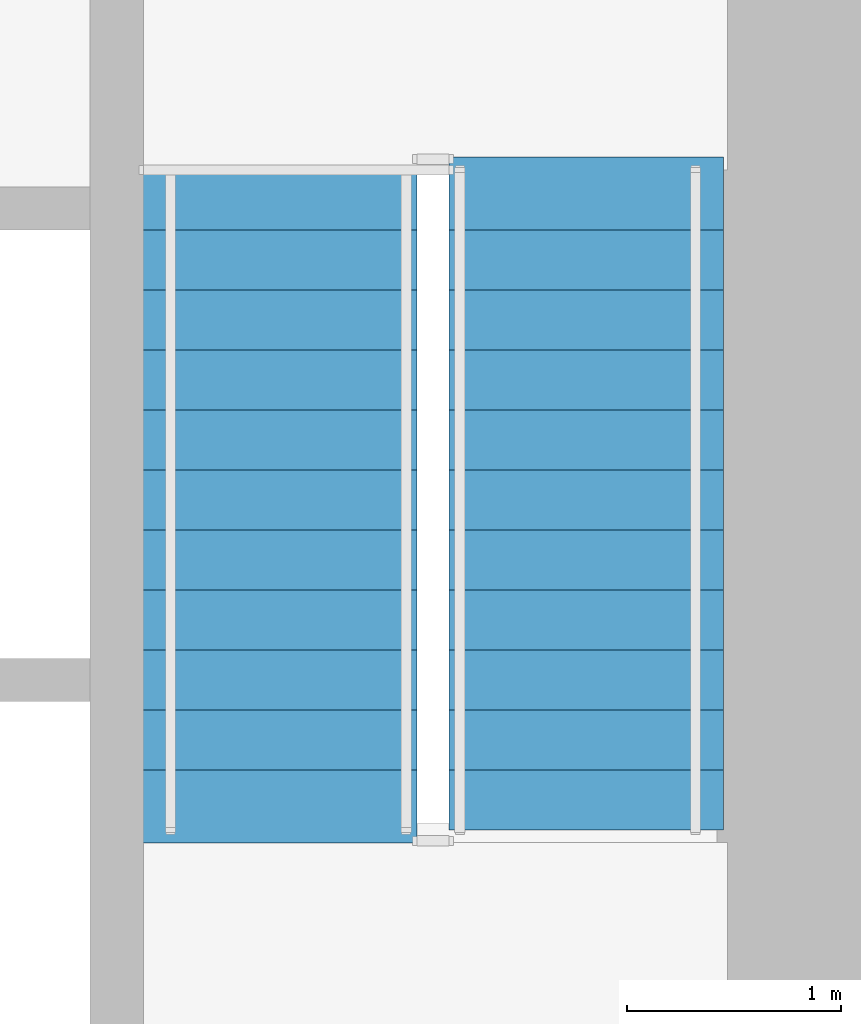
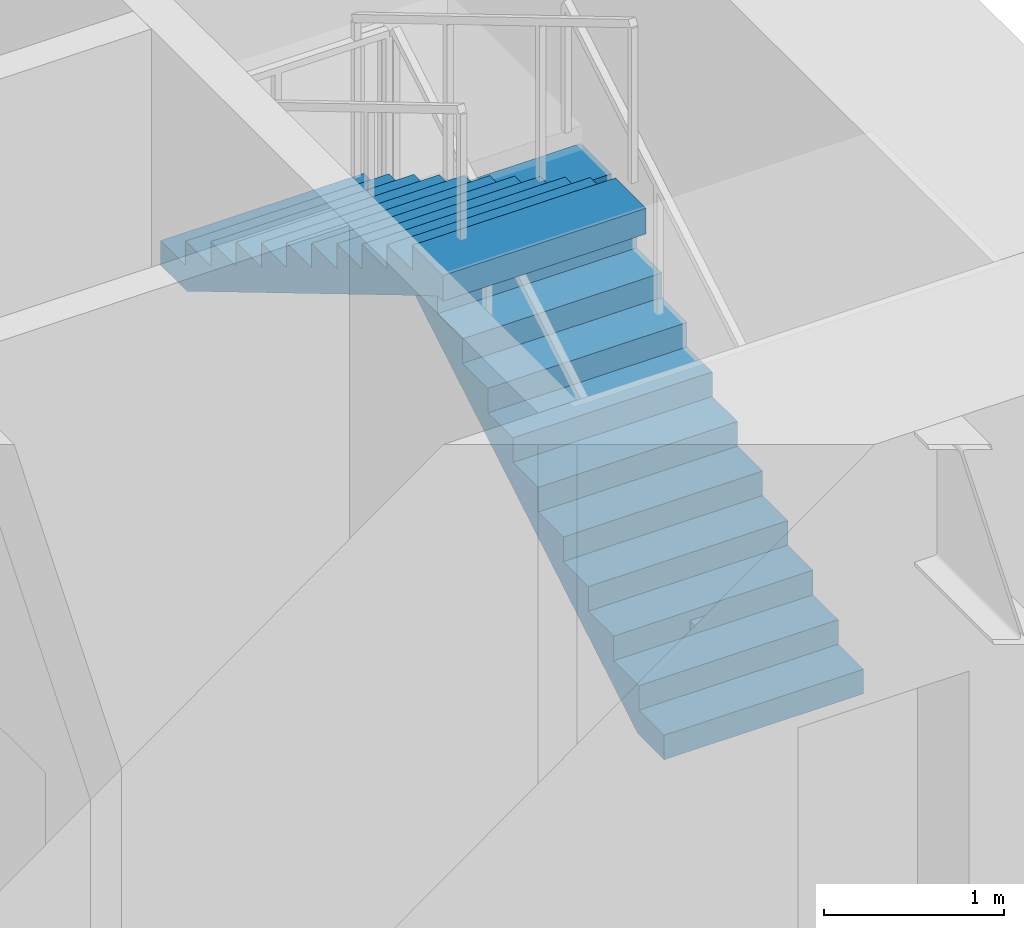
# One storey, part 10 of 16: 2 stair flights, 1 element without a shape of its own.
"""IFC4 building model written with IfcOpenShell, lengths in metres."""

from ifc_helpers import new_model, si_unit, direction, frame, origin, place, context, subcontext, project, spatial, polyline, outline, extrude, material, type_object, element, aggregate, save


model = new_model("IFC4")

# Units and contexts
model_context = context("Model", 3, precision=1e-05, world=origin(), true_north=direction((0.0, 1.0)))
body_context = subcontext(model_context, "Body", "Model", "MODEL_VIEW")
ifc_project = project(units=[si_unit("LENGTHUNIT", "METRE"), si_unit("AREAUNIT", "SQUARE_METRE"), si_unit("VOLUMEUNIT", "CUBIC_METRE"), si_unit("PLANEANGLEUNIT", "RADIAN"), si_unit("MASSUNIT", "GRAM", prefix="KILO")], contexts=[model_context])

# Site, building, storey
site_placement = place(None, origin())
site = spatial("IfcSite", under=ifc_project, at=site_placement, CompositionType="ELEMENT")
building_placement = place(site_placement, origin())
building = spatial("IfcBuilding", under=site, at=building_placement, Name="Sennacour Bend Tower", CompositionType="ELEMENT")
storey_placement = place(building_placement, frame((0.0, 0.0, 69.0)))
storey = spatial("IfcBuildingStorey", under=building, at=storey_placement, Name="L15", CompositionType="ELEMENT", Elevation=69.0)

# Stair, stair flights
ifc_material = material(Name="Concrete C40/50", Category="concrete")
stair_type = type_object("IfcStairType", Name="ST-DOGLEG", PredefinedType="HALF_TURN_STAIR", material=ifc_material)
stair_placement = place(storey_placement, origin())
stair = element("IfcStair", 1, at=stair_placement, inside=storey, type_object=stair_type, Name="L15 Exit stair B2", PredefinedType="HALF_TURN_STAIR")
stair_flight_type = type_object("IfcStairFlightType", Name="SFL-RC", PredefinedType="STRAIGHT", material=ifc_material)
stair_flight_1_placement = place(storey_placement, frame((20.68994140625, 38.699951171875, 0.0), z_axis=(0.0, 0.0, 1.0), x_axis=(0.0, 1.0, 0.0)))
stair_flight_1 = element("IfcStairFlight", 2, at=stair_flight_1_placement, type_object=stair_flight_type, Name="SB2 flight 1", NumberOfRisers=12, NumberOfTreads=11, PredefinedType="STRAIGHT", RiserHeight=0.166666667, TreadLength=0.28, context=body_context, shape_type="SweptSolid", body=[
    extrude(outline(polyline([(0.0, 0.0), (0.0, 0.166748046875), (0.280029296875, 0.166748046875), (0.280029296875, 0.333251953125), (0.56005859375, 0.333251953125), (0.56005859375, 0.5), (0.840087890625, 0.5), (0.840087890625, 0.666748046875), (1.1201171875, 0.666748046875), (1.1201171875, 0.833251953125), (1.39990234375, 0.833251953125), (1.39990234375, 1.0), (1.679931640625, 1.0), (1.679931640625, 1.166748046875), (1.9599609375, 1.166748046875), (1.9599609375, 1.333251953125), (2.239990234375, 1.333251953125), (2.239990234375, 1.5), (2.52001953125, 1.5), (2.52001953125, 1.666748046875), (2.800048828125, 1.666748046875), (2.800048828125, 1.833251953125), (3.080078125, 1.833251953125), (3.139892578125, 1.833251953125), (3.139892578125, 1.658935546875), (3.080078125, 1.658935546875), (0.29296875, 0.0), (0.0, 0.0)])), frame((0.0, 0.64013671875, 0.0), z_axis=(0.0, -1.0, 0.0), x_axis=(1.0, 0.0, 0.0)), (0.0, 0.0, 1.0), 1.280029296875),
])
stair_flight_2_placement = place(storey_placement, frame((19.24755859375, 41.780029296875, 2.0), z_axis=(0.0, 0.0, 1.0), x_axis=(0.0, -1.0, 0.0)))
stair_flight_2 = element("IfcStairFlight", 3, at=stair_flight_2_placement, type_object=stair_flight_type, Name="SB2 flight 2", NumberOfRisers=12, NumberOfTreads=11, PredefinedType="STRAIGHT", RiserHeight=0.166666667, TreadLength=0.28, context=body_context, shape_type="SweptSolid", body=[
    extrude(outline(polyline([(0.0, 0.0), (0.0, 0.166748046875), (0.280029296875, 0.166748046875), (0.280029296875, 0.333251953125), (0.56005859375, 0.333251953125), (0.56005859375, 0.5), (0.840087890625, 0.5), (0.840087890625, 0.666748046875), (1.1201171875, 0.666748046875), (1.1201171875, 0.833251953125), (1.39990234375, 0.833251953125), (1.39990234375, 1.0), (1.679931640625, 1.0), (1.679931640625, 1.166748046875), (1.9599609375, 1.166748046875), (1.9599609375, 1.333251953125), (2.239990234375, 1.333251953125), (2.239990234375, 1.5), (2.52001953125, 1.5), (2.52001953125, 1.666748046875), (2.800048828125, 1.666748046875), (2.800048828125, 1.833251953125), (3.080078125, 1.833251953125), (3.139892578125, 1.833251953125), (3.139892578125, 1.658935546875), (3.080078125, 1.658935546875), (0.29296875, 0.0), (0.0, 0.0)])), frame((0.0, 0.65234375, 0.0), z_axis=(0.0, -1.0, 0.0), x_axis=(1.0, 0.0, 0.0)), (0.0, 0.0, 1.0), 1.304931640625),
])
aggregate(stair, [stair_flight_1, stair_flight_2])

save(model, "model.ifc")
